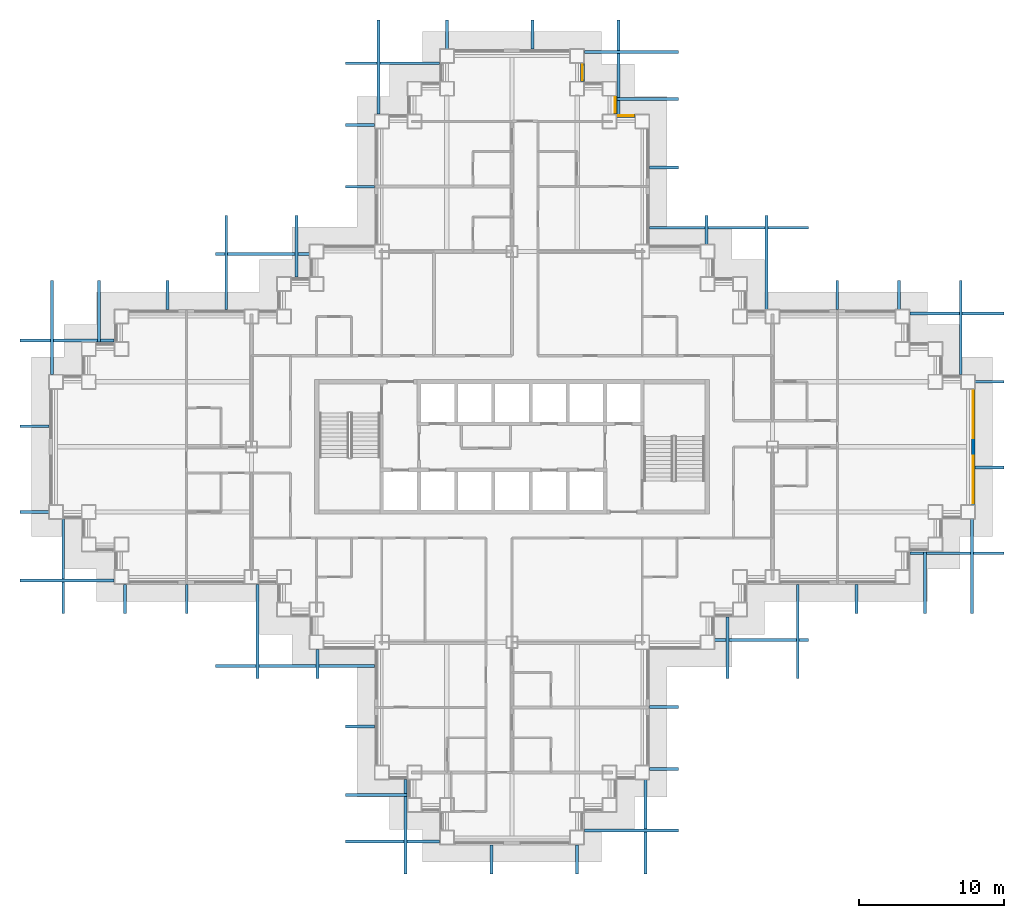
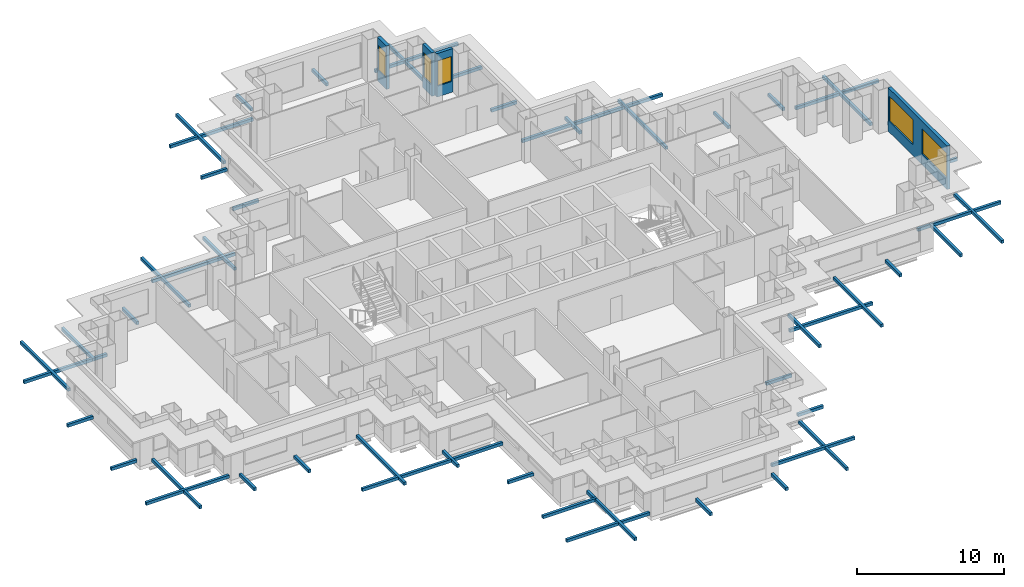
# One storey, part 10 of 15: 52 discrete accessories, 5 windows, 4 walls, 5 openings.
"""IFC4 building model written with IfcOpenShell, lengths in metres."""

import ifcopenshell
import ifcopenshell.guid

model = None  # the IFC model being written
_history = None  # IfcOwnerHistory: only IFC2X3 demands one
_inside = {}  # id of a spatial element -> (the spatial element, [elements in it])
_under = {}  # id of a project, library or spatial element -> (it, [spatial elements below it])
_declared = {}  # id of a project -> (the project, [libraries it declares])
_typed = {}  # id of a type object -> (the type object, [elements of that type])
_made_of = {}  # id of a material, layer set ... -> (it, [elements and type objects made of it])


def new_model(schema):
    """Start an empty IFC model of exactly this schema.

    Asked for "IFC4X3", IfcOpenShell would pick the latest addendum, in which some entities
    have other attributes; the version numbers below select the first issue.
    IFC2X3 requires an IfcOwnerHistory on every rooted entity: one is made here for all.
    """
    global model, _history
    if schema == "IFC4X3":
        model = ifcopenshell.file(schema_version=(4, 3, 0, 0))
    else:
        model = ifcopenshell.file(schema=schema)
    _inside.clear()
    _under.clear()
    _declared.clear()
    _typed.clear()
    _made_of.clear()
    _history = None
    if model.schema == "IFC2X3":
        org = make("IfcOrganization", Name="unknown")
        user = make(
            "IfcPersonAndOrganization",
            ThePerson=make("IfcPerson", FamilyName="unknown"),
            TheOrganization=org,
        )
        app = make(
            "IfcApplication",
            ApplicationDeveloper=org,
            Version="unknown",
            ApplicationFullName="unknown",
            ApplicationIdentifier="unknown",
        )
        _history = make(
            "IfcOwnerHistory",
            OwningUser=user,
            OwningApplication=app,
            ChangeAction="ADDED",
            CreationDate=0,
        )
    return model


def make(cls, **values):
    """One entity of the class cls with the attributes given. An attribute that is None is left unset."""
    return model.create_entity(
        cls, **{name: value for name, value in values.items() if value is not None}
    )


def rooted(cls, **values):
    """An entity with a GlobalId (a new one), such as an element, a storey or a relation."""
    return make(cls, GlobalId=ifcopenshell.guid.new(), OwnerHistory=_history, **values)


def si_unit(unit_type, name, prefix=None):
    """IfcSIUnit, for example si_unit("LENGTHUNIT", "METRE", prefix="MILLI")."""
    return make("IfcSIUnit", UnitType=unit_type, Prefix=prefix, Name=name)


def assignment(units):
    """IfcUnitAssignment: the units of a project."""
    return None if units is None else make("IfcUnitAssignment", Units=units)


def point(xyz):
    """IfcCartesianPoint."""
    return None if xyz is None else make("IfcCartesianPoint", Coordinates=xyz)


def direction(xyz):
    """IfcDirection."""
    return None if xyz is None else make("IfcDirection", DirectionRatios=xyz)


def frame(location, z_axis=None, x_axis=None):
    """IfcAxis2Placement3D, a coordinate frame: its origin and axes. An axis left out is left unset."""
    return make(
        "IfcAxis2Placement3D",
        Location=point(location),
        Axis=direction(z_axis),
        RefDirection=direction(x_axis),
    )


def frame_2d(location, x_axis=None):
    """IfcAxis2Placement2D, a coordinate frame in the plane: its origin and x axis."""
    return make(
        "IfcAxis2Placement2D", Location=point(location), RefDirection=direction(x_axis)
    )


def origin():
    """The frame at (0, 0, 0) with its axes left unset."""
    return frame((0.0, 0.0, 0.0))


def origin_2d():
    """The frame at (0, 0) in the plane with its x axis left unset."""
    return frame_2d((0.0, 0.0))


def place(relative_to, where):
    """IfcLocalPlacement: puts the frame where relative to a parent placement (None: the world)."""
    return make(
        "IfcLocalPlacement", PlacementRelTo=relative_to, RelativePlacement=where
    )


def context(
    kind, dimensions, precision=None, world=None, true_north=None, identifier=None
):
    """IfcGeometricRepresentationContext, for example the 3D "Model" context."""
    return make(
        "IfcGeometricRepresentationContext",
        ContextIdentifier=identifier,
        ContextType=kind,
        CoordinateSpaceDimension=dimensions,
        Precision=precision,
        WorldCoordinateSystem=world,
        TrueNorth=true_north,
    )


def subcontext(parent, identifier, kind, view, scale=None):
    """IfcGeometricRepresentationSubContext, for example "Body" below "Model"."""
    return make(
        "IfcGeometricRepresentationSubContext",
        ContextIdentifier=identifier,
        ContextType=kind,
        ParentContext=parent,
        TargetScale=scale,
        TargetView=view,
    )


def project(units=None, contexts=None):
    """IfcProject with its units and contexts."""
    return rooted(
        "IfcProject",
        Name="project",
        RepresentationContexts=contexts,
        UnitsInContext=assignment(units),
    )


def spatial(cls, under=None, at=None, **own):
    """A site, building, storey or space (cls), placed at a placement, below another one or the project."""
    s = rooted(cls, ObjectPlacement=at, **own)
    if under is not None:
        _under.setdefault(under.id(), (under, []))[1].append(s)
    return s


def profile(cls, at=None, kind="AREA", **sizes):
    """A parametric profile (cls). Its sizes go by their IFC names, for example OverallWidth=200.0."""
    return make(cls, ProfileType=kind, Position=at, **sizes)


def rectangle(**sizes):
    """IfcRectangleProfileDef."""
    return profile("IfcRectangleProfileDef", **sizes)


def extrude(swept, where, along, depth):
    """IfcExtrudedAreaSolid: the profile swept, set in the frame where, extruded along a direction by depth."""
    return make(
        "IfcExtrudedAreaSolid",
        SweptArea=swept,
        Position=where,
        ExtrudedDirection=direction(along),
        Depth=depth,
    )


def shape(context_of_items, identifier, shape_type, items):
    """IfcShapeRepresentation: the items that make up one representation, for example the "Body"."""
    return make(
        "IfcShapeRepresentation",
        ContextOfItems=context_of_items,
        RepresentationIdentifier=identifier,
        RepresentationType=shape_type,
        Items=items,
    )


def material(Name=None, Category=None):
    """IfcMaterial."""
    return make("IfcMaterial", Name=Name, Category=Category)


def layer(
    of_material, thickness, ventilated=None, Name=None, Category=None, Priority=None
):
    """IfcMaterialLayer: one layer of a wall or slab, of a material (None: an air gap)."""
    return make(
        "IfcMaterialLayer",
        Material=of_material,
        LayerThickness=thickness,
        IsVentilated=ventilated,
        Name=Name,
        Category=Category,
        Priority=Priority,
    )


def layer_set(layers, Name=None):
    """IfcMaterialLayerSet."""
    return make("IfcMaterialLayerSet", MaterialLayers=layers, LayerSetName=Name)


def made_of(thing, what):
    """Note that an element or type object is made of a material, layer set ...; save() writes the relation."""
    if what is not None:
        _made_of.setdefault(what.id(), (what, []))[1].append(thing)
    return thing


def type_object(cls, material=None, **own):
    """A type object (cls), such as IfcWallType, which elements share."""
    return made_of(rooted(cls, **own), material)


def element(
    cls,
    number,
    at=None,
    inside=None,
    cuts=None,
    type_object=None,
    material=None,
    context=None,
    identifier="Body",
    shape_type=None,
    held_by="IfcProductDefinitionShape",
    body=None,
    shapes=None,
    **own,
):
    """One element of the class cls, such as IfcWall. Its Tag is "e" and its number.

    at: its placement. inside: the storey or other place that contains it. cuts: it is an
    opening in that element (IfcRelVoidsElement). A single representation is given by context,
    identifier, shape_type and body (its items); several are given by shapes. held_by: the class
    of the entity that holds the representations. save() writes the other relations.
    """
    e = rooted(cls, Tag="e%d" % number, ObjectPlacement=at, **own)
    if body is not None:
        shapes = [shape(context, identifier, shape_type, body)]
    if shapes is not None:
        e.Representation = make(held_by, Representations=shapes)
    if inside is not None:
        _inside.setdefault(inside.id(), (inside, []))[1].append(e)
    if cuts is not None:
        rooted(
            "IfcRelVoidsElement", RelatingBuildingElement=cuts, RelatedOpeningElement=e
        )
    if type_object is not None:
        _typed.setdefault(type_object.id(), (type_object, []))[1].append(e)
    return made_of(e, material)


def fill(opening, filler):
    """IfcRelFillsElement: the door or window that sits in an opening."""
    return rooted(
        "IfcRelFillsElement",
        RelatingOpeningElement=opening,
        RelatedBuildingElement=filler,
    )


def aggregate(whole, parts):
    """IfcRelAggregates: a whole, such as a stair, and the parts it consists of."""
    return rooted("IfcRelAggregates", RelatingObject=whole, RelatedObjects=parts)


def save(model, path):
    """Write the relations noted so far, then the file.

    IfcRelAggregates (storeys below a building ...), IfcRelContainedInSpatialStructure (elements
    in a storey), IfcRelDefinesByType, IfcRelAssociatesMaterial and IfcRelDeclares: one each for
    every whole, place, type object, material and project.
    """
    for whole, parts in _under.values():
        aggregate(whole, parts)
    for where, things in _inside.values():
        rooted(
            "IfcRelContainedInSpatialStructure",
            RelatedElements=things,
            RelatingStructure=where,
        )
    for kind, things in _typed.values():
        rooted("IfcRelDefinesByType", RelatedObjects=things, RelatingType=kind)
    for what, things in _made_of.values():
        rooted("IfcRelAssociatesMaterial", RelatedObjects=things, RelatingMaterial=what)
    for by, libraries in _declared.values():
        rooted("IfcRelDeclares", RelatingContext=by, RelatedDefinitions=libraries)
    model.write(path)


model = new_model("IFC4")

# Units and contexts
model_context = context("Model", 3, precision=1e-05, world=origin(), true_north=direction((0.0, 1.0)))
body_context = subcontext(model_context, "Body", "Model", "MODEL_VIEW")
ifc_project = project(units=[si_unit("LENGTHUNIT", "METRE"), si_unit("AREAUNIT", "SQUARE_METRE"), si_unit("VOLUMEUNIT", "CUBIC_METRE"), si_unit("PLANEANGLEUNIT", "RADIAN"), si_unit("MASSUNIT", "GRAM", prefix="KILO")], contexts=[model_context])

# Site, building, storey
site_placement = place(None, origin())
site = spatial("IfcSite", under=ifc_project, at=site_placement, CompositionType="ELEMENT")
building_placement = place(site_placement, origin())
building = spatial("IfcBuilding", under=site, at=building_placement, Name="Caravel Reach Hotel and Residences", CompositionType="ELEMENT")
storey_placement = place(building_placement, frame((0.0, 0.0, 70.800048828125)))
storey = spatial("IfcBuildingStorey", under=building, at=storey_placement, Name="L16", CompositionType="ELEMENT", Elevation=70.800048828125)

# Wall, openings, windows
ifc_material_1 = material(Name="Insulated rainscreen wall, aluminium cladding", Category="aluminium")
ifc_layer = layer(ifc_material_1, 0.25)
ifc_layer_set = layer_set([ifc_layer], Name="EW1 Tower rainscreen wall")
wall_type = type_object("IfcWallType", Name="EW1 Tower rainscreen wall", PredefinedType="SOLIDWALL", material=ifc_layer_set)
wall_1_placement = place(storey_placement, frame((63.375, 23.0, 0.0), z_axis=(0.0, 0.0, 1.0), x_axis=(0.0, 1.0, 0.0)))
wall_1 = element("IfcWall", 1, at=wall_1_placement, inside=storey, type_object=wall_type, Name="External wall L16 E20.1", PredefinedType="SOLIDWALL", context=body_context, shape_type="SweptSolid", body=[
    extrude(rectangle(XDim=8.0, YDim=0.25, at=frame_2d((4.0, 0.0))), origin(), (0.0, 0.0, 1.0), 3.599853515625),
])
opening_1_placement = place(wall_1_placement, frame((0.10009765625, 0.0, 0.89990234375)))
opening_1 = element("IfcOpeningElement", 2, at=opening_1_placement, cuts=wall_1, Name="Opening WN4", PredefinedType="OPENING", context=body_context, shape_type="SweptSolid", body=[
    extrude(rectangle(XDim=3.300048828125, YDim=2.080078125, at=frame_2d((1.64990234375, 1.0400390625))), frame((0.0, 0.135009765625, 0.0), z_axis=(0.0, -1.0, 0.0), x_axis=(1.0, 0.0, 0.0)), (0.0, 0.0, 1.0), 0.27001953125),
])
opening_2_placement = place(wall_1_placement, frame((4.60009765625, 0.0, 0.89990234375)))
opening_2 = element("IfcOpeningElement", 3, at=opening_2_placement, cuts=wall_1, Name="Opening WN4", PredefinedType="OPENING", context=body_context, shape_type="SweptSolid", body=[
    extrude(rectangle(XDim=3.300048828125, YDim=2.080078125, at=frame_2d((1.64990234375, 1.0400390625))), frame((0.0, 0.135009765625, 0.0), z_axis=(0.0, -1.0, 0.0), x_axis=(1.0, 0.0, 0.0)), (0.0, 0.0, 1.0), 0.27001953125),
])
ifc_material_2 = material(Name="Dark low-e glazing in black aluminium frame", Category="aluminium")
window_type_1 = type_object("IfcWindowType", Name="Hotel guest room window 3300 x 2080", PartitioningType="SINGLE_PANEL", PredefinedType="WINDOW", material=ifc_material_2)
window_1_placement = place(opening_1_placement, origin())
window_1 = element("IfcWindow", 4, at=window_1_placement, inside=storey, type_object=window_type_1, Name="Window L16 E20.1.1", OverallHeight=2.080078125, OverallWidth=3.300048828125, PartitioningType="SINGLE_PANEL", PredefinedType="WINDOW", context=body_context, shape_type="SweptSolid", body=[
    extrude(rectangle(XDim=3.300048828125, YDim=2.080078125, at=frame_2d((1.64990234375, 1.0400390625))), frame((0.0, 0.030029296875, 0.0), z_axis=(0.0, -1.0, 0.0), x_axis=(1.0, 0.0, 0.0)), (0.0, 0.0, 1.0), 0.06005859375),
])
fill(opening_1, window_1)
window_2_placement = place(opening_2_placement, origin())
window_2 = element("IfcWindow", 5, at=window_2_placement, inside=storey, type_object=window_type_1, Name="Window L16 E20.1.2", OverallHeight=2.080078125, OverallWidth=3.300048828125, PartitioningType="SINGLE_PANEL", PredefinedType="WINDOW", context=body_context, shape_type="SweptSolid", body=[
    extrude(rectangle(XDim=3.300048828125, YDim=2.080078125, at=frame_2d((1.64990234375, 1.0400390625))), frame((0.0, 0.030029296875, 0.0), z_axis=(0.0, -1.0, 0.0), x_axis=(1.0, 0.0, 0.0)), (0.0, 0.0, 1.0), 0.06005859375),
])
fill(opening_2, window_2)

# Wall, opening, window
wall_2_placement = place(storey_placement, frame((40.0, 49.875, 0.0), z_axis=(0.0, 0.0, 1.0), x_axis=(-1.0, 0.0, 0.0)))
wall_2 = element("IfcWall", 6, at=wall_2_placement, inside=storey, type_object=wall_type, Name="External wall L16 N31.1", PredefinedType="SOLIDWALL", context=body_context, shape_type="SweptSolid", body=[
    extrude(rectangle(XDim=1.25, YDim=0.25, at=frame_2d((0.625, 0.0))), origin(), (0.0, 0.0, 1.0), 3.599853515625),
])
opening_3_placement = place(wall_2_placement, frame((0.10009765625, 0.0, 0.89990234375)))
opening_3 = element("IfcOpeningElement", 7, at=opening_3_placement, cuts=wall_2, Name="Opening WN3", PredefinedType="OPENING", context=body_context, shape_type="SweptSolid", body=[
    extrude(rectangle(XDim=1.050048828125, YDim=2.080078125, at=frame_2d((0.52490234375, 1.0400390625))), frame((0.0, 0.135009765625, 0.0), z_axis=(0.0, -1.0, 0.0), x_axis=(1.0, 0.0, 0.0)), (0.0, 0.0, 1.0), 0.27001953125),
])
ifc_material_3 = material(Name="Dark low-e glazing in black aluminium frame", Category="aluminium")
window_type_2 = type_object("IfcWindowType", Name="Hotel suite corner window 1050 x 2080", PartitioningType="SINGLE_PANEL", PredefinedType="WINDOW", material=ifc_material_3)
window_3_placement = place(opening_3_placement, origin())
window_3 = element("IfcWindow", 8, at=window_3_placement, inside=storey, type_object=window_type_2, Name="Window L16 N31.1.1", OverallHeight=2.080078125, OverallWidth=1.050048828125, PartitioningType="SINGLE_PANEL", PredefinedType="WINDOW", context=body_context, shape_type="SweptSolid", body=[
    extrude(rectangle(XDim=1.050048828125, YDim=2.080078125, at=frame_2d((0.52490234375, 1.0400390625))), frame((0.0, 0.030029296875, 0.0), z_axis=(0.0, -1.0, 0.0), x_axis=(1.0, 0.0, 0.0)), (0.0, 0.0, 1.0), 0.06005859375),
])
fill(opening_3, window_3)

wall_3_placement = place(storey_placement, frame((38.625, 50.0, 0.0), z_axis=(0.0, 0.0, 1.0), x_axis=(0.0, 1.0, 0.0)))
wall_3 = element("IfcWall", 9, at=wall_3_placement, inside=storey, type_object=wall_type, Name="External wall L16 E32.1", PredefinedType="SOLIDWALL", context=body_context, shape_type="SweptSolid", body=[
    extrude(rectangle(XDim=1.25, YDim=0.25, at=frame_2d((0.625, 0.0))), origin(), (0.0, 0.0, 1.0), 3.599853515625),
])
opening_4_placement = place(wall_3_placement, frame((0.10009765625, 0.0, 0.89990234375)))
opening_4 = element("IfcOpeningElement", 10, at=opening_4_placement, cuts=wall_3, Name="Opening WN3", PredefinedType="OPENING", context=body_context, shape_type="SweptSolid", body=[
    extrude(rectangle(XDim=1.050048828125, YDim=2.080078125, at=frame_2d((0.52490234375, 1.0400390625))), frame((0.0, 0.135009765625, 0.0), z_axis=(0.0, -1.0, 0.0), x_axis=(1.0, 0.0, 0.0)), (0.0, 0.0, 1.0), 0.27001953125),
])
window_4_placement = place(opening_4_placement, origin())
window_4 = element("IfcWindow", 11, at=window_4_placement, inside=storey, type_object=window_type_2, Name="Window L16 E32.1.1", OverallHeight=2.080078125, OverallWidth=1.050048828125, PartitioningType="SINGLE_PANEL", PredefinedType="WINDOW", context=body_context, shape_type="SweptSolid", body=[
    extrude(rectangle(XDim=1.050048828125, YDim=2.080078125, at=frame_2d((0.52490234375, 1.0400390625))), frame((0.0, 0.030029296875, 0.0), z_axis=(0.0, -1.0, 0.0), x_axis=(1.0, 0.0, 0.0)), (0.0, 0.0, 1.0), 0.06005859375),
])
fill(opening_4, window_4)

wall_4_placement = place(storey_placement, frame((36.375, 52.25, 0.0), z_axis=(0.0, 0.0, 1.0), x_axis=(0.0, 1.0, 0.0)))
wall_4 = element("IfcWall", 12, at=wall_4_placement, inside=storey, type_object=wall_type, Name="External wall L16 E34.1", PredefinedType="SOLIDWALL", context=body_context, shape_type="SweptSolid", body=[
    extrude(rectangle(XDim=1.25, YDim=0.25, at=frame_2d((0.625, 0.0))), origin(), (0.0, 0.0, 1.0), 3.599853515625),
])
opening_5_placement = place(wall_4_placement, frame((0.10009765625, 0.0, 0.89990234375)))
opening_5 = element("IfcOpeningElement", 13, at=opening_5_placement, cuts=wall_4, Name="Opening WN3", PredefinedType="OPENING", context=body_context, shape_type="SweptSolid", body=[
    extrude(rectangle(XDim=1.050048828125, YDim=2.080078125, at=frame_2d((0.52490234375, 1.0400390625))), frame((0.0, 0.135009765625, 0.0), z_axis=(0.0, -1.0, 0.0), x_axis=(1.0, 0.0, 0.0)), (0.0, 0.0, 1.0), 0.27001953125),
])
window_5_placement = place(opening_5_placement, origin())
window_5 = element("IfcWindow", 14, at=window_5_placement, inside=storey, type_object=window_type_2, Name="Window L16 E34.1.1", OverallHeight=2.080078125, OverallWidth=1.050048828125, PartitioningType="SINGLE_PANEL", PredefinedType="WINDOW", context=body_context, shape_type="SweptSolid", body=[
    extrude(rectangle(XDim=1.050048828125, YDim=2.080078125, at=frame_2d((0.52490234375, 1.0400390625))), frame((0.0, 0.030029296875, 0.0), z_axis=(0.0, -1.0, 0.0), x_axis=(1.0, 0.0, 0.0)), (0.0, 0.0, 1.0), 0.06005859375),
])
fill(opening_5, window_5)

# Discrete accessories
ifc_material_4 = material(Name="Black powder-coated aluminium", Category="aluminium")
discrete_accessory_type = type_object("IfcDiscreteAccessoryType", Name="BR1 Screen bracket", PredefinedType="BRACKET", material=ifc_material_4)
discrete_accessory_1_placement = place(storey_placement, frame((21.0, 7.686767578125, 0.099853515625), z_axis=(0.0, 0.0, 1.0), x_axis=(-1.0, 0.0, 0.0)))
element("IfcDiscreteAccessory", 15, at=discrete_accessory_1_placement, inside=storey, type_object=discrete_accessory_type, Name="Screen bracket L16 1.1.2", PredefinedType="BRACKET", context=body_context, shape_type="SweptSolid", body=[
    extrude(rectangle(XDim=2.0, YDim=0.199951171875, at=origin_2d()), origin(), (0.0, 0.0, 1.0), 0.25),
])
discrete_accessory_2_placement = place(storey_placement, frame((22.125, 2.953369140625, 0.099853515625), z_axis=(0.0, 0.0, 1.0), x_axis=(-1.0, 0.0, 0.0)))
element("IfcDiscreteAccessory", 16, at=discrete_accessory_2_placement, inside=storey, type_object=discrete_accessory_type, Name="Screen bracket L16 1.2.2", PredefinedType="BRACKET", context=body_context, shape_type="SweptSolid", body=[
    extrude(rectangle(XDim=4.25, YDim=0.199951171875, at=origin_2d()), origin(), (0.0, 0.0, 1.0), 0.25),
])
for number, where, z_axis, x_axis, name in (
    (17, (23.25, -0.280029296875, 0.099853515625), (0.0, 0.0, 1.0), (-1.0, 0.0, 0.0), "Screen bracket L16 1.3.2"),
    (18, (24.1474609375, 0.75, 0.099853515625), (0.0, 0.0, 1.0), (0.0, -1.0, 0.0), "Screen bracket L16 2.1.2"),
):
    element("IfcDiscreteAccessory", number, at=place(storey_placement, frame(where, z_axis=z_axis, x_axis=x_axis)), inside=storey, type_object=discrete_accessory_type, Name=name, PredefinedType="BRACKET", context=body_context, shape_type="SweptSolid", body=[
        extrude(rectangle(XDim=6.5, YDim=0.199951171875, at=origin_2d()), origin(), (0.0, 0.0, 1.0), 0.25),
    ])
for number, where, z_axis, x_axis, name in (
    (19, (30.072509765625, -1.5, 0.099853515625), (0.0, 0.0, 1.0), (0.0, -1.0, 0.0), "Screen bracket L16 2.2.2"),
    (20, (35.99755859375, -1.5, 0.099853515625), (0.0, 0.0, 1.0), (0.0, -1.0, 0.0), "Screen bracket L16 2.3.2"),
):
    element("IfcDiscreteAccessory", number, at=place(storey_placement, frame(where, z_axis=z_axis, x_axis=x_axis)), inside=storey, type_object=discrete_accessory_type, Name=name, PredefinedType="BRACKET", context=body_context, shape_type="SweptSolid", body=[
        extrude(rectangle(XDim=2.0, YDim=0.199951171875, at=origin_2d()), origin(), (0.0, 0.0, 1.0), 0.25),
    ])
for number, where, z_axis, x_axis, name in (
    (21, (40.722412109375, 0.75, 0.099853515625), (0.0, 0.0, 1.0), (0.0, -1.0, 0.0), "Screen bracket L16 2.4.2"),
    (22, (39.75, 0.486572265625, 0.099853515625), (0.0, 0.0, 1.0), (1.0, 0.0, 0.0), "Screen bracket L16 3.1.2"),
):
    element("IfcDiscreteAccessory", number, at=place(storey_placement, frame(where, z_axis=z_axis, x_axis=x_axis)), inside=storey, type_object=discrete_accessory_type, Name=name, PredefinedType="BRACKET", context=body_context, shape_type="SweptSolid", body=[
        extrude(rectangle(XDim=6.5, YDim=0.199951171875, at=origin_2d()), origin(), (0.0, 0.0, 1.0), 0.25),
    ])
for number, where, z_axis, x_axis, name in (
    (23, (42.0, 4.75341796875, 0.099853515625), (0.0, 0.0, 1.0), (1.0, 0.0, 0.0), "Screen bracket L16 3.2.2"),
    (24, (42.0, 9.02001953125, 0.099853515625), (0.0, 0.0, 1.0), (1.0, 0.0, 0.0), "Screen bracket L16 3.3.2"),
):
    element("IfcDiscreteAccessory", number, at=place(storey_placement, frame(where, z_axis=z_axis, x_axis=x_axis)), inside=storey, type_object=discrete_accessory_type, Name=name, PredefinedType="BRACKET", context=body_context, shape_type="SweptSolid", body=[
        extrude(rectangle(XDim=2.0, YDim=0.199951171875, at=origin_2d()), origin(), (0.0, 0.0, 1.0), 0.25),
    ])
discrete_accessory_3_placement = place(storey_placement, frame((46.39501953125, 13.125, 0.099853515625), z_axis=(0.0, 0.0, 1.0), x_axis=(0.0, -1.0, 0.0)))
element("IfcDiscreteAccessory", 25, at=discrete_accessory_3_placement, inside=storey, type_object=discrete_accessory_type, Name="Screen bracket L16 4.1.2", PredefinedType="BRACKET", context=body_context, shape_type="SweptSolid", body=[
    extrude(rectangle(XDim=4.25, YDim=0.199951171875, at=origin_2d()), origin(), (0.0, 0.0, 1.0), 0.25),
])
for number, where, z_axis, x_axis, name in (
    (26, (51.2451171875, 14.25, 0.099853515625), (0.0, 0.0, 1.0), (0.0, -1.0, 0.0), "Screen bracket L16 4.2.2"),
    (27, (48.75, 13.659912109375, 0.099853515625), (0.0, 0.0, 1.0), (1.0, 0.0, 0.0), "Screen bracket L16 5.1.2"),
):
    element("IfcDiscreteAccessory", number, at=place(storey_placement, frame(where, z_axis=z_axis, x_axis=x_axis)), inside=storey, type_object=discrete_accessory_type, Name=name, PredefinedType="BRACKET", context=body_context, shape_type="SweptSolid", body=[
        extrude(rectangle(XDim=6.5, YDim=0.199951171875, at=origin_2d()), origin(), (0.0, 0.0, 1.0), 0.25),
    ])
discrete_accessory_4_placement = place(storey_placement, frame((55.313232421875, 16.5, 0.099853515625), z_axis=(0.0, 0.0, 1.0), x_axis=(0.0, -1.0, 0.0)))
element("IfcDiscreteAccessory", 28, at=discrete_accessory_4_placement, inside=storey, type_object=discrete_accessory_type, Name="Screen bracket L16 6.1.2", PredefinedType="BRACKET", context=body_context, shape_type="SweptSolid", body=[
    extrude(rectangle(XDim=2.0, YDim=0.199951171875, at=origin_2d()), origin(), (0.0, 0.0, 1.0), 0.25),
])
discrete_accessory_5_placement = place(storey_placement, frame((60.046630859375, 17.625, 0.099853515625), z_axis=(0.0, 0.0, 1.0), x_axis=(0.0, -1.0, 0.0)))
element("IfcDiscreteAccessory", 29, at=discrete_accessory_5_placement, inside=storey, type_object=discrete_accessory_type, Name="Screen bracket L16 6.2.2", PredefinedType="BRACKET", context=body_context, shape_type="SweptSolid", body=[
    extrude(rectangle(XDim=4.25, YDim=0.199951171875, at=origin_2d()), origin(), (0.0, 0.0, 1.0), 0.25),
])
for number, where, z_axis, x_axis, name in (
    (30, (63.280029296875, 18.75, 0.099853515625), (0.0, 0.0, 1.0), (0.0, -1.0, 0.0), "Screen bracket L16 6.3.2"),
    (31, (62.25, 19.6474609375, 0.099853515625), (0.0, 0.0, 1.0), (1.0, 0.0, 0.0), "Screen bracket L16 7.1.2"),
):
    element("IfcDiscreteAccessory", number, at=place(storey_placement, frame(where, z_axis=z_axis, x_axis=x_axis)), inside=storey, type_object=discrete_accessory_type, Name=name, PredefinedType="BRACKET", context=body_context, shape_type="SweptSolid", body=[
        extrude(rectangle(XDim=6.5, YDim=0.199951171875, at=origin_2d()), origin(), (0.0, 0.0, 1.0), 0.25),
    ])
for number, where, z_axis, x_axis, name in (
    (32, (64.5, 25.572509765625, 0.099853515625), (0.0, 0.0, 1.0), (1.0, 0.0, 0.0), "Screen bracket L16 7.2.2"),
    (33, (64.5, 31.49755859375, 0.099853515625), (0.0, 0.0, 1.0), (1.0, 0.0, 0.0), "Screen bracket L16 7.3.2"),
):
    element("IfcDiscreteAccessory", number, at=place(storey_placement, frame(where, z_axis=z_axis, x_axis=x_axis)), inside=storey, type_object=discrete_accessory_type, Name=name, PredefinedType="BRACKET", context=body_context, shape_type="SweptSolid", body=[
        extrude(rectangle(XDim=2.0, YDim=0.199951171875, at=origin_2d()), origin(), (0.0, 0.0, 1.0), 0.25),
    ])
for number, where, z_axis, x_axis, name in (
    (34, (62.25, 36.222412109375, 0.099853515625), (0.0, 0.0, 1.0), (1.0, 0.0, 0.0), "Screen bracket L16 7.4.2"),
    (35, (62.513427734375, 35.25, 0.099853515625), (0.0, 0.0, 1.0), (0.0, 1.0, 0.0), "Screen bracket L16 8.1.2"),
):
    element("IfcDiscreteAccessory", number, at=place(storey_placement, frame(where, z_axis=z_axis, x_axis=x_axis)), inside=storey, type_object=discrete_accessory_type, Name=name, PredefinedType="BRACKET", context=body_context, shape_type="SweptSolid", body=[
        extrude(rectangle(XDim=6.5, YDim=0.199951171875, at=origin_2d()), origin(), (0.0, 0.0, 1.0), 0.25),
    ])
for number, where, z_axis, x_axis, name in (
    (36, (58.24658203125, 37.5, 0.099853515625), (0.0, 0.0, 1.0), (0.0, 1.0, 0.0), "Screen bracket L16 8.2.2"),
    (37, (53.97998046875, 37.5, 0.099853515625), (0.0, 0.0, 1.0), (0.0, 1.0, 0.0), "Screen bracket L16 8.3.2"),
):
    element("IfcDiscreteAccessory", number, at=place(storey_placement, frame(where, z_axis=z_axis, x_axis=x_axis)), inside=storey, type_object=discrete_accessory_type, Name=name, PredefinedType="BRACKET", context=body_context, shape_type="SweptSolid", body=[
        extrude(rectangle(XDim=2.0, YDim=0.199951171875, at=origin_2d()), origin(), (0.0, 0.0, 1.0), 0.25),
    ])
discrete_accessory_6_placement = place(storey_placement, frame((46.5, 42.139892578125, 0.099853515625), z_axis=(0.0, 0.0, 1.0), x_axis=(1.0, 0.0, 0.0)))
element("IfcDiscreteAccessory", 38, at=discrete_accessory_6_placement, inside=storey, type_object=discrete_accessory_type, Name="Screen bracket L16 9.1.2", PredefinedType="BRACKET", context=body_context, shape_type="SweptSolid", body=[
    extrude(rectangle(XDim=11.0, YDim=0.199951171875, at=origin_2d()), origin(), (0.0, 0.0, 1.0), 0.25),
])
discrete_accessory_7_placement = place(storey_placement, frame((49.094970703125, 39.75, 0.099853515625), z_axis=(0.0, 0.0, 1.0), x_axis=(0.0, 1.0, 0.0)))
element("IfcDiscreteAccessory", 39, at=discrete_accessory_7_placement, inside=storey, type_object=discrete_accessory_type, Name="Screen bracket L16 10.1.2", PredefinedType="BRACKET", context=body_context, shape_type="SweptSolid", body=[
    extrude(rectangle(XDim=6.5, YDim=0.199951171875, at=origin_2d()), origin(), (0.0, 0.0, 1.0), 0.25),
])
for number, where, z_axis, x_axis, name in (
    (40, (44.945068359375, 42.0, 0.099853515625), (0.0, 0.0, 1.0), (0.0, 1.0, 0.0), "Screen bracket L16 10.2.2"),
    (41, (42.0, 46.313232421875, 0.099853515625), (0.0, 0.0, 1.0), (1.0, 0.0, 0.0), "Screen bracket L16 11.1.2"),
):
    element("IfcDiscreteAccessory", number, at=place(storey_placement, frame(where, z_axis=z_axis, x_axis=x_axis)), inside=storey, type_object=discrete_accessory_type, Name=name, PredefinedType="BRACKET", context=body_context, shape_type="SweptSolid", body=[
        extrude(rectangle(XDim=2.0, YDim=0.199951171875, at=origin_2d()), origin(), (0.0, 0.0, 1.0), 0.25),
    ])
discrete_accessory_8_placement = place(storey_placement, frame((40.875, 51.046630859375, 0.099853515625), z_axis=(0.0, 0.0, 1.0), x_axis=(1.0, 0.0, 0.0)))
element("IfcDiscreteAccessory", 42, at=discrete_accessory_8_placement, inside=storey, type_object=discrete_accessory_type, Name="Screen bracket L16 11.2.2", PredefinedType="BRACKET", context=body_context, shape_type="SweptSolid", body=[
    extrude(rectangle(XDim=4.25, YDim=0.199951171875, at=origin_2d()), origin(), (0.0, 0.0, 1.0), 0.25),
])
for number, where, z_axis, x_axis, name in (
    (43, (39.75, 54.280029296875, 0.099853515625), (0.0, 0.0, 1.0), (1.0, 0.0, 0.0), "Screen bracket L16 11.3.2"),
    (44, (38.8525390625, 53.25, 0.099853515625), (0.0, 0.0, 1.0), (0.0, 1.0, 0.0), "Screen bracket L16 12.1.2"),
):
    element("IfcDiscreteAccessory", number, at=place(storey_placement, frame(where, z_axis=z_axis, x_axis=x_axis)), inside=storey, type_object=discrete_accessory_type, Name=name, PredefinedType="BRACKET", context=body_context, shape_type="SweptSolid", body=[
        extrude(rectangle(XDim=6.5, YDim=0.199951171875, at=origin_2d()), origin(), (0.0, 0.0, 1.0), 0.25),
    ])
for number, where, z_axis, x_axis, name in (
    (45, (32.927490234375, 55.5, 0.099853515625), (0.0, 0.0, 1.0), (0.0, 1.0, 0.0), "Screen bracket L16 12.2.2"),
    (46, (27.00244140625, 55.5, 0.099853515625), (0.0, 0.0, 1.0), (0.0, 1.0, 0.0), "Screen bracket L16 12.3.2"),
):
    element("IfcDiscreteAccessory", number, at=place(storey_placement, frame(where, z_axis=z_axis, x_axis=x_axis)), inside=storey, type_object=discrete_accessory_type, Name=name, PredefinedType="BRACKET", context=body_context, shape_type="SweptSolid", body=[
        extrude(rectangle(XDim=2.0, YDim=0.199951171875, at=origin_2d()), origin(), (0.0, 0.0, 1.0), 0.25),
    ])
for number, where, z_axis, x_axis, name in (
    (47, (22.277587890625, 53.25, 0.099853515625), (0.0, 0.0, 1.0), (0.0, 1.0, 0.0), "Screen bracket L16 12.4.2"),
    (48, (23.25, 53.513427734375, 0.099853515625), (0.0, 0.0, 1.0), (-1.0, 0.0, 0.0), "Screen bracket L16 13.1.2"),
):
    element("IfcDiscreteAccessory", number, at=place(storey_placement, frame(where, z_axis=z_axis, x_axis=x_axis)), inside=storey, type_object=discrete_accessory_type, Name=name, PredefinedType="BRACKET", context=body_context, shape_type="SweptSolid", body=[
        extrude(rectangle(XDim=6.5, YDim=0.199951171875, at=origin_2d()), origin(), (0.0, 0.0, 1.0), 0.25),
    ])
for number, where, z_axis, x_axis, name in (
    (49, (21.0, 49.24658203125, 0.099853515625), (0.0, 0.0, 1.0), (-1.0, 0.0, 0.0), "Screen bracket L16 13.2.2"),
    (50, (21.0, 44.97998046875, 0.099853515625), (0.0, 0.0, 1.0), (-1.0, 0.0, 0.0), "Screen bracket L16 13.3.2"),
):
    element("IfcDiscreteAccessory", number, at=place(storey_placement, frame(where, z_axis=z_axis, x_axis=x_axis)), inside=storey, type_object=discrete_accessory_type, Name=name, PredefinedType="BRACKET", context=body_context, shape_type="SweptSolid", body=[
        extrude(rectangle(XDim=2.0, YDim=0.199951171875, at=origin_2d()), origin(), (0.0, 0.0, 1.0), 0.25),
    ])
discrete_accessory_9_placement = place(storey_placement, frame((16.60498046875, 40.875, 0.099853515625), z_axis=(0.0, 0.0, 1.0), x_axis=(0.0, 1.0, 0.0)))
element("IfcDiscreteAccessory", 51, at=discrete_accessory_9_placement, inside=storey, type_object=discrete_accessory_type, Name="Screen bracket L16 14.1.2", PredefinedType="BRACKET", context=body_context, shape_type="SweptSolid", body=[
    extrude(rectangle(XDim=4.25, YDim=0.199951171875, at=origin_2d()), origin(), (0.0, 0.0, 1.0), 0.25),
])
for number, where, z_axis, x_axis, name in (
    (52, (11.7548828125, 39.75, 0.099853515625), (0.0, 0.0, 1.0), (0.0, 1.0, 0.0), "Screen bracket L16 14.2.2"),
    (53, (14.25, 40.340087890625, 0.099853515625), (0.0, 0.0, 1.0), (-1.0, 0.0, 0.0), "Screen bracket L16 15.1.2"),
):
    element("IfcDiscreteAccessory", number, at=place(storey_placement, frame(where, z_axis=z_axis, x_axis=x_axis)), inside=storey, type_object=discrete_accessory_type, Name=name, PredefinedType="BRACKET", context=body_context, shape_type="SweptSolid", body=[
        extrude(rectangle(XDim=6.5, YDim=0.199951171875, at=origin_2d()), origin(), (0.0, 0.0, 1.0), 0.25),
    ])
discrete_accessory_10_placement = place(storey_placement, frame((7.686767578125, 37.5, 0.099853515625), z_axis=(0.0, 0.0, 1.0), x_axis=(0.0, 1.0, 0.0)))
element("IfcDiscreteAccessory", 54, at=discrete_accessory_10_placement, inside=storey, type_object=discrete_accessory_type, Name="Screen bracket L16 16.1.2", PredefinedType="BRACKET", context=body_context, shape_type="SweptSolid", body=[
    extrude(rectangle(XDim=2.0, YDim=0.199951171875, at=origin_2d()), origin(), (0.0, 0.0, 1.0), 0.25),
])
discrete_accessory_11_placement = place(storey_placement, frame((2.953369140625, 36.375, 0.099853515625), z_axis=(0.0, 0.0, 1.0), x_axis=(0.0, 1.0, 0.0)))
element("IfcDiscreteAccessory", 55, at=discrete_accessory_11_placement, inside=storey, type_object=discrete_accessory_type, Name="Screen bracket L16 16.2.2", PredefinedType="BRACKET", context=body_context, shape_type="SweptSolid", body=[
    extrude(rectangle(XDim=4.25, YDim=0.199951171875, at=origin_2d()), origin(), (0.0, 0.0, 1.0), 0.25),
])
for number, where, z_axis, x_axis, name in (
    (56, (-0.280029296875, 35.25, 0.099853515625), (0.0, 0.0, 1.0), (0.0, 1.0, 0.0), "Screen bracket L16 16.3.2"),
    (57, (0.75, 34.3525390625, 0.099853515625), (0.0, 0.0, 1.0), (-1.0, 0.0, 0.0), "Screen bracket L16 17.1.2"),
):
    element("IfcDiscreteAccessory", number, at=place(storey_placement, frame(where, z_axis=z_axis, x_axis=x_axis)), inside=storey, type_object=discrete_accessory_type, Name=name, PredefinedType="BRACKET", context=body_context, shape_type="SweptSolid", body=[
        extrude(rectangle(XDim=6.5, YDim=0.199951171875, at=origin_2d()), origin(), (0.0, 0.0, 1.0), 0.25),
    ])
for number, where, z_axis, x_axis, name in (
    (58, (-1.5, 28.427490234375, 0.099853515625), (0.0, 0.0, 1.0), (-1.0, 0.0, 0.0), "Screen bracket L16 17.2.2"),
    (59, (-1.5, 22.50244140625, 0.099853515625), (0.0, 0.0, 1.0), (-1.0, 0.0, 0.0), "Screen bracket L16 17.3.2"),
):
    element("IfcDiscreteAccessory", number, at=place(storey_placement, frame(where, z_axis=z_axis, x_axis=x_axis)), inside=storey, type_object=discrete_accessory_type, Name=name, PredefinedType="BRACKET", context=body_context, shape_type="SweptSolid", body=[
        extrude(rectangle(XDim=2.0, YDim=0.199951171875, at=origin_2d()), origin(), (0.0, 0.0, 1.0), 0.25),
    ])
for number, where, z_axis, x_axis, name in (
    (60, (0.75, 17.777587890625, 0.099853515625), (0.0, 0.0, 1.0), (-1.0, 0.0, 0.0), "Screen bracket L16 17.4.2"),
    (61, (0.486572265625, 18.75, 0.099853515625), (0.0, 0.0, 1.0), (0.0, -1.0, 0.0), "Screen bracket L16 18.1.2"),
):
    element("IfcDiscreteAccessory", number, at=place(storey_placement, frame(where, z_axis=z_axis, x_axis=x_axis)), inside=storey, type_object=discrete_accessory_type, Name=name, PredefinedType="BRACKET", context=body_context, shape_type="SweptSolid", body=[
        extrude(rectangle(XDim=6.5, YDim=0.199951171875, at=origin_2d()), origin(), (0.0, 0.0, 1.0), 0.25),
    ])
for number, where, z_axis, x_axis, name in (
    (62, (4.75341796875, 16.5, 0.099853515625), (0.0, 0.0, 1.0), (0.0, -1.0, 0.0), "Screen bracket L16 18.2.2"),
    (63, (9.02001953125, 16.5, 0.099853515625), (0.0, 0.0, 1.0), (0.0, -1.0, 0.0), "Screen bracket L16 18.3.2"),
):
    element("IfcDiscreteAccessory", number, at=place(storey_placement, frame(where, z_axis=z_axis, x_axis=x_axis)), inside=storey, type_object=discrete_accessory_type, Name=name, PredefinedType="BRACKET", context=body_context, shape_type="SweptSolid", body=[
        extrude(rectangle(XDim=2.0, YDim=0.199951171875, at=origin_2d()), origin(), (0.0, 0.0, 1.0), 0.25),
    ])
discrete_accessory_12_placement = place(storey_placement, frame((16.5, 11.860107421875, 0.099853515625), z_axis=(0.0, 0.0, 1.0), x_axis=(-1.0, 0.0, 0.0)))
element("IfcDiscreteAccessory", 64, at=discrete_accessory_12_placement, inside=storey, type_object=discrete_accessory_type, Name="Screen bracket L16 19.1.2", PredefinedType="BRACKET", context=body_context, shape_type="SweptSolid", body=[
    extrude(rectangle(XDim=11.0, YDim=0.199951171875, at=origin_2d()), origin(), (0.0, 0.0, 1.0), 0.25),
])
discrete_accessory_13_placement = place(storey_placement, frame((13.905029296875, 14.25, 0.099853515625), z_axis=(0.0, 0.0, 1.0), x_axis=(0.0, -1.0, 0.0)))
element("IfcDiscreteAccessory", 65, at=discrete_accessory_13_placement, inside=storey, type_object=discrete_accessory_type, Name="Screen bracket L16 20.1.2", PredefinedType="BRACKET", context=body_context, shape_type="SweptSolid", body=[
    extrude(rectangle(XDim=6.5, YDim=0.199951171875, at=origin_2d()), origin(), (0.0, 0.0, 1.0), 0.25),
])
discrete_accessory_14_placement = place(storey_placement, frame((18.054931640625, 12.0, 0.099853515625), z_axis=(0.0, 0.0, 1.0), x_axis=(0.0, -1.0, 0.0)))
element("IfcDiscreteAccessory", 66, at=discrete_accessory_14_placement, inside=storey, type_object=discrete_accessory_type, Name="Screen bracket L16 20.2.2", PredefinedType="BRACKET", context=body_context, shape_type="SweptSolid", body=[
    extrude(rectangle(XDim=2.0, YDim=0.199951171875, at=origin_2d()), origin(), (0.0, 0.0, 1.0), 0.25),
])

save(model, "model.ifc")
